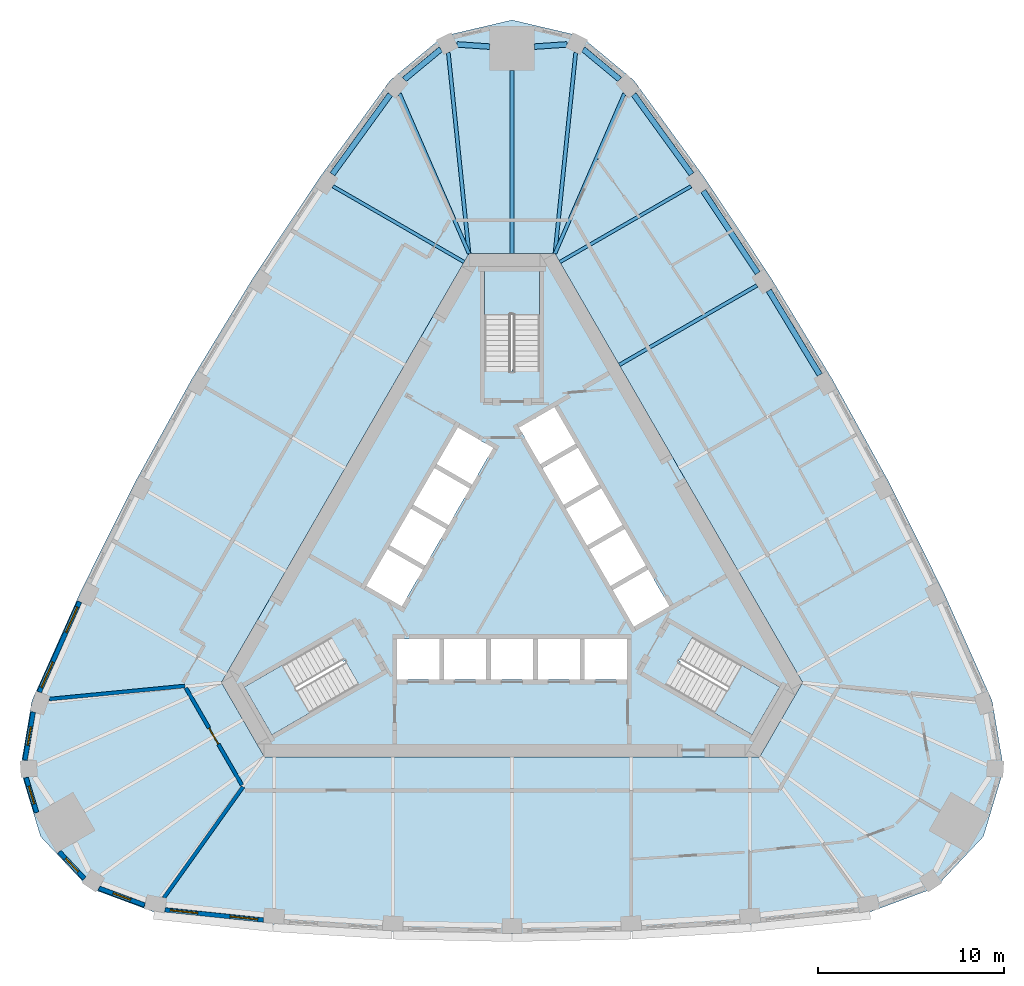
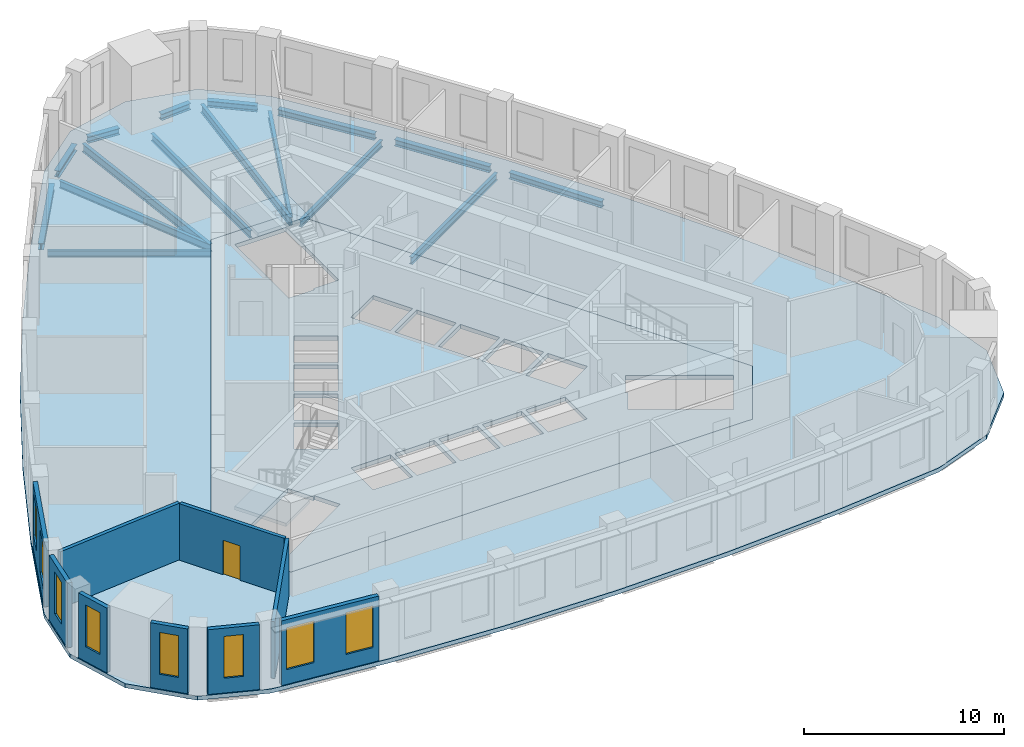
# One storey, part 2 of 10: 16 beams, 9 walls, 8 windows, 5 slabs, 1 door, 9 openings, 3 elements without a shape of their own.
"""IFC4 building model written with IfcOpenShell, lengths in metres."""

from ifc_helpers import new_model, si_unit, direction, frame, frame_2d, origin, origin_2d, place, context, subcontext, project, spatial, polyline, rectangle, i_section, outline, extrude, material, layer, layer_set, material_profile, profile_set, type_object, element, fill, aggregate, save


model = new_model("IFC4")

# Units and contexts
model_context = context("Model", 3, precision=1e-05, world=origin(), true_north=direction((0.0, 1.0)))
body_context = subcontext(model_context, "Body", "Model", "MODEL_VIEW")
ifc_project = project(units=[si_unit("LENGTHUNIT", "METRE"), si_unit("AREAUNIT", "SQUARE_METRE"), si_unit("VOLUMEUNIT", "CUBIC_METRE"), si_unit("PLANEANGLEUNIT", "RADIAN"), si_unit("MASSUNIT", "GRAM", prefix="KILO")], contexts=[model_context])

# Site, building, storey
site_placement = place(None, origin())
site = spatial("IfcSite", under=ifc_project, at=site_placement, CompositionType="ELEMENT")
building_placement = place(site_placement, origin())
building = spatial("IfcBuilding", under=site, at=building_placement, Name="Mestral Congress Tower", CompositionType="ELEMENT")
storey_placement = place(building_placement, frame((0.0, 0.0, 231.0)))
storey = spatial("IfcBuildingStorey", under=building, at=storey_placement, Name="L54", CompositionType="ELEMENT", Elevation=231.0)

# Beams
ifc_material_1 = material(Name="Steel S355", Category="steel")
ifc_material_profile_1 = material_profile(ifc_material_1, i_section(OverallWidth=0.179931640625, OverallDepth=0.39990234375, WebThickness=0.008544921875, FlangeThickness=0.013427734375, FilletRadius=0.02099609375, at=origin_2d()), Name="IPE 400")
ifc_profile_set_1 = profile_set([ifc_material_profile_1], Name="Steel S355")
beam_type_1 = type_object("IfcBeamType", Name="Floor beam IPE 400 S355", PredefinedType="BEAM", material=ifc_profile_set_1)
for number, where, z_axis, x_axis, name in (
    (1, (9.627197265625, 20.321533203125, -0.449951171875), (-0.86601443812, -0.500018992608, 0.0), (0.500018992608, -0.86601443812, 0.0), "BM-L54-RB4-E05"),
    (2, (-9.627197265625, 20.321533203125, -0.449951171875), (0.86601443812, -0.500018992608, 0.0), (0.500018992608, 0.86601443812, 0.0), "BM-L54-RB4-W01"),
):
    element("IfcBeam", number, at=place(storey_placement, frame(where, z_axis=z_axis, x_axis=x_axis)), inside=storey, type_object=beam_type_1, Name=name, PredefinedType="BEAM", context=body_context, shape_type="SweptSolid", body=[
        extrude(i_section(OverallWidth=0.179931640625, OverallDepth=0.39990234375, WebThickness=0.008544921875, FlangeThickness=0.013427734375, FilletRadius=0.02099609375, at=origin_2d()), origin(), (0.0, 0.0, 1.0), 8.148193359375),
    ])
ifc_material_profile_2 = material_profile(ifc_material_1, i_section(OverallWidth=0.18994140625, OverallDepth=0.449951171875, WebThickness=0.009521484375, FlangeThickness=0.0146484375, FilletRadius=0.02099609375, at=origin_2d()), Name="IPE 450")
ifc_profile_set_2 = profile_set([ifc_material_profile_2], Name="Steel S355")
beam_type_2 = type_object("IfcBeamType", Name="Floor beam IPE 450 S355", PredefinedType="BEAM", material=ifc_profile_set_2)
beam_1_placement = place(storey_placement, frame((13.16650390625, 14.98974609375, -0.47509765625), z_axis=(-0.866028621479, -0.499994426748, 0.0), x_axis=(0.499994426748, -0.866028621479, 0.0)))
element("IfcBeam", 3, at=beam_1_placement, inside=storey, type_object=beam_type_2, Name="BM-L54-RB4-E04", PredefinedType="BEAM", context=body_context, shape_type="SweptSolid", body=[
    extrude(i_section(OverallWidth=0.18994140625, OverallDepth=0.449951171875, WebThickness=0.009521484375, FlangeThickness=0.0146484375, FilletRadius=0.02099609375, at=origin_2d()), origin(), (0.0, 0.0, 1.0), 8.54736328125),
])
beam_2_placement = place(storey_placement, frame((6.0419921875, 25.296875, -0.47509765625), z_axis=(-0.398265997009, -0.91726996878, 0.0), x_axis=(0.91726996878, -0.398265997009, 0.0)))
element("IfcBeam", 4, at=beam_2_placement, inside=storey, type_object=beam_type_2, Name="BM-L54-RB4-E06", PredefinedType="BEAM", context=body_context, shape_type="SweptSolid", body=[
    extrude(i_section(OverallWidth=0.18994140625, OverallDepth=0.449951171875, WebThickness=0.009521484375, FlangeThickness=0.0146484375, FilletRadius=0.02099609375, at=origin_2d()), origin(), (0.0, 0.0, 1.0), 9.372314453125),
])
beam_3_placement = place(storey_placement, frame((0.0, 26.54443359375, -0.47509765625), z_axis=(0.0, -1.0, 0.0), x_axis=(1.0, 0.0, 0.0)))
element("IfcBeam", 5, at=beam_3_placement, inside=storey, type_object=beam_type_2, Name="BM-L54-RB4-N", PredefinedType="BEAM", context=body_context, shape_type="SweptSolid", body=[
    extrude(i_section(OverallWidth=0.18994140625, OverallDepth=0.449951171875, WebThickness=0.009521484375, FlangeThickness=0.0146484375, FilletRadius=0.02099609375, at=origin_2d()), origin(), (0.0, 0.0, 1.0), 9.844482421875),
])
beam_4_placement = place(storey_placement, frame((-6.0419921875, 25.296875, -0.47509765625), z_axis=(0.398265997009, -0.91726996878, 0.0), x_axis=(0.91726996878, 0.398265997009, 0.0)))
element("IfcBeam", 6, at=beam_4_placement, inside=storey, type_object=beam_type_2, Name="BM-L54-RB4-W00", PredefinedType="BEAM", context=body_context, shape_type="SweptSolid", body=[
    extrude(i_section(OverallWidth=0.18994140625, OverallDepth=0.449951171875, WebThickness=0.009521484375, FlangeThickness=0.0146484375, FilletRadius=0.02099609375, at=origin_2d()), origin(), (0.0, 0.0, 1.0), 9.372314453125),
])
ifc_material_profile_3 = material_profile(ifc_material_1, i_section(OverallWidth=0.199951171875, OverallDepth=0.5, WebThickness=0.01025390625, FlangeThickness=0.01611328125, FilletRadius=0.02099609375, at=origin_2d()), Name="IPE 500")
ifc_profile_set_3 = profile_set([ifc_material_profile_3], Name="Steel S355")
beam_type_3 = type_object("IfcBeamType", Name="Floor beam IPE 500 S355", PredefinedType="BEAM", material=ifc_profile_set_3)
for number, where, z_axis, x_axis, name in (
    (7, (3.4228515625, 27.5009765625, -0.5), (-0.102550876252, -0.994727760636, 0.0), (0.994727760636, -0.102550876252, 0.0), "BM-L54-RB4-N1"),
    (8, (-3.4228515625, 27.5009765625, -0.5), (0.102550876252, -0.994727760636, 0.0), (0.994727760636, 0.102550876252, 0.0), "BM-L54-RB4-N3"),
):
    element("IfcBeam", number, at=place(storey_placement, frame(where, z_axis=z_axis, x_axis=x_axis)), inside=storey, type_object=beam_type_3, Name=name, PredefinedType="BEAM", context=body_context, shape_type="SweptSolid", body=[
        extrude(i_section(OverallWidth=0.199951171875, OverallDepth=0.5, WebThickness=0.01025390625, FlangeThickness=0.01611328125, FilletRadius=0.02099609375, at=origin_2d()), origin(), (0.0, 0.0, 1.0), 10.858154296875),
    ])
ifc_material_profile_4 = material_profile(ifc_material_1, i_section(OverallWidth=0.300048828125, OverallDepth=0.389892578125, WebThickness=0.010986328125, FlangeThickness=0.01904296875, FilletRadius=0.027099609375, at=origin_2d()), Name="HEA 400")
ifc_profile_set_4 = profile_set([ifc_material_profile_4], Name="Steel S355")
beam_type_4 = type_object("IfcBeamType", Name="Spandrel beam HEA 400 S355", PredefinedType="BEAM", material=ifc_profile_set_4)
for number, where, z_axis, x_axis, name in (
    (9, (16.54248046875, 10.185791015625, -0.445068359375), (-0.517865676042, 0.855461946306, 0.0), (-0.855461946306, -0.517865676042, 0.0), "SP-L54-SB4-E03"),
    (10, (13.209228515625, 15.648193359375, -0.445068359375), (-0.552934106774, 0.833224983762, 0.0), (-0.833224983762, -0.552934106774, 0.0), "SP-L54-SB4-E04"),
):
    element("IfcBeam", number, at=place(storey_placement, frame(where, z_axis=z_axis, x_axis=x_axis)), inside=storey, type_object=beam_type_4, Name=name, PredefinedType="BEAM", context=body_context, shape_type="SweptSolid", body=[
        extrude(i_section(OverallWidth=0.300048828125, OverallDepth=0.389892578125, WebThickness=0.010986328125, FlangeThickness=0.01904296875, FilletRadius=0.027099609375, at=origin_2d()), origin(), (0.0, 0.0, 1.0), 5.29931640625),
    ])
beam_5_placement = place(storey_placement, frame((9.652099609375, 20.967529296875, -0.445068359375), z_axis=(-0.587017415163, 0.809574304369, 0.0), x_axis=(-0.809574304369, -0.587017415163, 0.0)))
element("IfcBeam", 11, at=beam_5_placement, inside=storey, type_object=beam_type_4, Name="SP-L54-SB4-E05", PredefinedType="BEAM", context=body_context, shape_type="SweptSolid", body=[
    extrude(i_section(OverallWidth=0.300048828125, OverallDepth=0.389892578125, WebThickness=0.010986328125, FlangeThickness=0.01904296875, FilletRadius=0.027099609375, at=origin_2d()), origin(), (0.0, 0.0, 1.0), 5.29736328125),
])
beam_6_placement = place(storey_placement, frame((5.789306640625, 26.058837890625, -0.445068359375), z_axis=(-0.769970431757, 0.638079567311, 0.0), x_axis=(-0.638079567311, -0.769970431757, 0.0)))
element("IfcBeam", 12, at=beam_6_placement, inside=storey, type_object=beam_type_4, Name="SP-L54-SB4-E06", PredefinedType="BEAM", context=body_context, shape_type="SweptSolid", body=[
    extrude(i_section(OverallWidth=0.300048828125, OverallDepth=0.389892578125, WebThickness=0.010986328125, FlangeThickness=0.01904296875, FilletRadius=0.027099609375, at=origin_2d()), origin(), (0.0, 0.0, 1.0), 2.547119140625),
])
for number, where, z_axis, x_axis, name in (
    (13, (2.9521484375, 27.94384765625, -0.445068359375), (-0.997724466462, -0.067423208337, 0.0), (0.067423208337, -0.997724466462, 0.0), "SP-L54-SB4-N1"),
    (14, (-1.199951171875, 27.825439453125, -0.445068359375), (-0.997724466462, 0.067423208337, 0.0), (-0.067423208337, -0.997724466462, 0.0), "SP-L54-SB4-N"),
):
    element("IfcBeam", number, at=place(storey_placement, frame(where, z_axis=z_axis, x_axis=x_axis)), inside=storey, type_object=beam_type_4, Name=name, PredefinedType="BEAM", context=body_context, shape_type="SweptSolid", body=[
        extrude(i_section(OverallWidth=0.300048828125, OverallDepth=0.389892578125, WebThickness=0.010986328125, FlangeThickness=0.01904296875, FilletRadius=0.027099609375, at=origin_2d()), origin(), (0.0, 0.0, 1.0), 1.756103515625),
    ])
beam_7_placement = place(storey_placement, frame((-3.828125, 27.68408203125, -0.445068359375), z_axis=(-0.769970431757, -0.638079567311, 0.0), x_axis=(0.638079567311, -0.769970431757, 0.0)))
element("IfcBeam", 15, at=beam_7_placement, inside=storey, type_object=beam_type_4, Name="SP-L54-SB4-N3", PredefinedType="BEAM", context=body_context, shape_type="SweptSolid", body=[
    extrude(i_section(OverallWidth=0.300048828125, OverallDepth=0.389892578125, WebThickness=0.010986328125, FlangeThickness=0.01904296875, FilletRadius=0.027099609375, at=origin_2d()), origin(), (0.0, 0.0, 1.0), 2.547119140625),
])
beam_8_placement = place(storey_placement, frame((-6.54248046875, 25.256103515625, -0.445068359375), z_axis=(-0.587017415163, -0.809574304369, 0.0), x_axis=(0.809574304369, -0.587017415163, 0.0)))
element("IfcBeam", 16, at=beam_8_placement, inside=storey, type_object=beam_type_4, Name="SP-L54-SB4-W00", PredefinedType="BEAM", context=body_context, shape_type="SweptSolid", body=[
    extrude(i_section(OverallWidth=0.300048828125, OverallDepth=0.389892578125, WebThickness=0.010986328125, FlangeThickness=0.01904296875, FilletRadius=0.027099609375, at=origin_2d()), origin(), (0.0, 0.0, 1.0), 5.29736328125),
])

# Slabs
ifc_material_2 = material(Name="Concrete C35/45", Category="concrete")
ifc_layer_1 = layer(ifc_material_2, 0.25)
ifc_layer_set_1 = layer_set([ifc_layer_1], Name="Concrete C35/45")
slab_type_1 = type_object("IfcSlabType", Name="Composite floor slab 250", PredefinedType="FLOOR", material=ifc_layer_set_1)
placement_1 = place(storey_placement, frame((0.0, 0.0, -0.25)))
element("IfcSlab", 17, at=placement_1, inside=storey, type_object=slab_type_1, Name="SL-L54", PredefinedType="FLOOR", context=body_context, shape_type="SweptSolid", body=[
    extrude(outline(polyline([(-19.253662109375, -18.678466796875), (-22.75, -17.381591796875), (-25.3369140625, -14.62841796875), (-26.427978515625, -11.01123046875), (-25.802978515625, -7.334716796875), (-23.16748046875, -1.4306640625), (-20.310302734375, 4.316650390625), (-17.21728515625, 9.9404296875), (-13.8935546875, 15.430908203125), (-10.3447265625, 20.77880859375), (-6.54931640625, 26.013427734375), (-3.677978515625, 28.392822265625), (0.0, 29.256591796875), (3.677978515625, 28.392822265625), (6.54931640625, 26.013427734375), (10.3447265625, 20.77880859375), (13.8935546875, 15.430908203125), (17.21728515625, 9.9404296875), (20.310302734375, 4.316650390625), (23.16748046875, -1.4306640625), (25.802978515625, -7.334716796875), (26.427978515625, -11.01123046875), (25.3369140625, -14.62841796875), (22.75, -17.381591796875), (19.253662109375, -18.678466796875), (12.822509765625, -19.34814453125), (6.416748046875, -19.74755859375), (0.0, -19.880615234375), (-6.416748046875, -19.74755859375), (-12.822509765625, -19.34814453125), (-19.253662109375, -18.678466796875)]), holes=[polyline([(-2.309326171875, 16.699951171875), (-15.6171875, -6.35009765625), (-13.307861328125, -10.35009765625), (13.307861328125, -10.35009765625), (15.6171875, -6.35009765625), (2.309326171875, 16.699951171875), (-2.309326171875, 16.699951171875)])]), origin(), (0.0, 0.0, 1.0), 0.25),
])
ifc_material_3 = material(Name="Concrete C60/75", Category="concrete")
ifc_layer_2 = layer(ifc_material_3, 0.25)
ifc_layer_set_2 = layer_set([ifc_layer_2], Name="Concrete C60/75")
slab_type_2 = type_object("IfcSlabType", Name="Core floor slab RC 250", PredefinedType="FLOOR", material=ifc_layer_set_2)
element("IfcSlab", 18, at=placement_1, inside=storey, type_object=slab_type_2, Name="L54 core floor", PredefinedType="FLOOR", context=body_context, shape_type="SweptSolid", body=[
    extrude(outline(polyline([(13.307861328125, -10.35009765625), (-13.307861328125, -10.35009765625), (-15.6171875, -6.35009765625), (-2.309326171875, 16.699951171875), (2.309326171875, 16.699951171875), (15.6171875, -6.35009765625), (13.307861328125, -10.35009765625)]), holes=[polyline([(-9.8046875, -3.95751953125), (-14.37744140625, -6.59765625), (-12.90234375, -9.15234375), (-8.234619140625, -6.45751953125), (-8.971923828125, -5.179931640625), (-9.0673828125, -5.235107421875), (-9.8046875, -3.95751953125)]), polyline([(-3.905029296875, -4.0), (-6.175048828125, -4.0), (-6.175048828125, -6.199951171875), (-3.905029296875, -6.199951171875), (-3.905029296875, -4.0)]), polyline([(-1.385009765625, -4.0), (-3.655029296875, -4.0), (-3.655029296875, -6.199951171875), (-1.385009765625, -6.199951171875), (-1.385009765625, -4.0)]), polyline([(1.135009765625, -4.0), (-1.135009765625, -4.0), (-1.135009765625, -6.199951171875), (1.135009765625, -6.199951171875), (1.135009765625, -4.0)]), polyline([(-5.921630859375, -2.256591796875), (-4.78662109375, -0.29052734375), (-6.69189453125, 0.809326171875), (-7.826904296875, -1.156494140625), (-5.921630859375, -2.256591796875)]), polyline([(-4.66162109375, -0.07421875), (-3.526611328125, 1.8916015625), (-5.431884765625, 2.99169921875), (-6.56689453125, 1.02587890625), (-4.66162109375, -0.07421875)]), polyline([(-3.401611328125, 2.1083984375), (-2.2666015625, 4.07421875), (-4.171875, 5.174072265625), (-5.306884765625, 3.208251953125), (-3.401611328125, 2.1083984375)]), polyline([(-2.1416015625, 4.29052734375), (-1.006591796875, 6.256591796875), (-2.911865234375, 7.3564453125), (-4.046875, 5.390625), (-2.1416015625, 4.29052734375)]), polyline([(1.47509765625, 10.469970703125), (1.47509765625, 15.75), (-1.47509765625, 15.75), (-1.47509765625, 10.360107421875), (0.0, 10.360107421875), (0.0, 10.469970703125), (1.47509765625, 10.469970703125)]), polyline([(8.329833984375, -6.512451171875), (12.90234375, -9.15234375), (14.37744140625, -6.59765625), (9.70947265625, -3.902587890625), (8.971923828125, -5.179931640625), (9.0673828125, -5.235107421875), (8.329833984375, -6.512451171875)]), polyline([(3.655029296875, -4.0), (1.385009765625, -4.0), (1.385009765625, -6.199951171875), (3.655029296875, -6.199951171875), (3.655029296875, -4.0)]), polyline([(6.175048828125, -4.0), (3.905029296875, -4.0), (3.905029296875, -6.199951171875), (6.175048828125, -6.199951171875), (6.175048828125, -4.0)]), polyline([(5.41650390625, -1.3818359375), (6.551513671875, -3.34765625), (8.456787109375, -2.247802734375), (7.322021484375, -0.28173828125), (5.41650390625, -1.3818359375)]), polyline([(4.156494140625, 0.800537109375), (5.29150390625, -1.165283203125), (7.197021484375, -0.065185546875), (6.06201171875, 1.900634765625), (4.156494140625, 0.800537109375)]), polyline([(2.896484375, 2.98291015625), (4.031494140625, 1.01708984375), (5.93701171875, 2.1171875), (4.802001953125, 4.0830078125), (2.896484375, 2.98291015625)]), polyline([(3.5419921875, 6.265380859375), (1.63671875, 5.165283203125), (2.771484375, 3.199462890625), (4.677001953125, 4.29931640625), (3.5419921875, 6.265380859375)]), polyline([(2.281982421875, 8.44775390625), (0.376708984375, 7.34765625), (1.51171875, 5.3818359375), (3.4169921875, 6.481689453125), (2.281982421875, 8.44775390625)])]), origin(), (0.0, 0.0, 1.0), 0.25),
])

# Stair, slab
stair_type = type_object("IfcStairType", Name="Exit stair 1400", PredefinedType="HALF_TURN_STAIR", material=ifc_material_3)
placement_2 = place(storey_placement, origin())
stair_1 = element("IfcStair", 19, at=placement_2, inside=storey, type_object=stair_type, Name="L54 ST1", PredefinedType="HALF_TURN_STAIR")
ifc_layer_3 = layer(ifc_material_3, 0.199951171875)
ifc_layer_set_3 = layer_set([ifc_layer_3], Name="Concrete C60/75")
slab_type_3 = type_object("IfcSlabType", Name="Exit stair landing 200", PredefinedType="LANDING", material=ifc_layer_set_3)
placement_3 = place(storey_placement, frame((0.0, 0.0, 1.89990234375)))
slab_3 = element("IfcSlab", 20, at=placement_3, type_object=slab_type_3, Name="ST1 landing 1", PredefinedType="LANDING", context=body_context, shape_type="SweptSolid", body=[
    extrude(outline(polyline([(10.879638671875, -7.99609375), (12.364501953125, -5.424072265625), (14.39111328125, -6.593994140625), (12.906005859375, -9.166015625), (10.879638671875, -7.99609375)])), origin(), (0.0, 0.0, 1.0), 0.2001953125),
])
aggregate(stair_1, [slab_3])

stair_2 = element("IfcStair", 21, at=placement_2, inside=storey, type_object=stair_type, Name="L54 ST2", PredefinedType="HALF_TURN_STAIR")
slab_4 = element("IfcSlab", 22, at=placement_3, type_object=slab_type_3, Name="ST2 landing 1", PredefinedType="LANDING", context=body_context, shape_type="SweptSolid", body=[
    extrude(outline(polyline([(1.485107421875, 13.419921875), (-1.485107421875, 13.419921875), (-1.485107421875, 15.760009765625), (1.485107421875, 15.760009765625), (1.485107421875, 13.419921875)])), origin(), (0.0, 0.0, 1.0), 0.2001953125),
])
aggregate(stair_2, [slab_4])

stair_3 = element("IfcStair", 23, at=placement_2, inside=storey, type_object=stair_type, Name="L54 ST3", PredefinedType="HALF_TURN_STAIR")
slab_5 = element("IfcSlab", 24, at=placement_3, type_object=slab_type_3, Name="ST3 landing 1", PredefinedType="LANDING", context=body_context, shape_type="SweptSolid", body=[
    extrude(outline(polyline([(-12.364501953125, -5.424072265625), (-10.879638671875, -7.99609375), (-12.906005859375, -9.166015625), (-14.39111328125, -6.593994140625), (-12.364501953125, -5.424072265625)])), origin(), (0.0, 0.0, 1.0), 0.2001953125),
])
aggregate(stair_3, [slab_5])

# Wall, openings, windows
ifc_material_4 = material(Name="Precast concrete C40/50 with limestone facing", Category="masonry")
ifc_layer_4 = layer(ifc_material_4, 0.239990234375)
ifc_layer_set_4 = layer_set([ifc_layer_4], Name="Precast concrete C40/50 with limestone facing")
wall_type_1 = type_object("IfcWallType", Name="Facade stone wall 240", PredefinedType="SOLIDWALL", material=ifc_layer_set_4)
wall_1_placement = place(storey_placement, frame((-18.644287109375, -18.571044921875, 0.0), z_axis=(0.0, 0.0, 1.0), x_axis=(0.994621961215, -0.103571976272, 0.0)))
wall_1 = element("IfcWall", 25, at=wall_1_placement, inside=storey, type_object=wall_type_1, Name="Facade wall F0-00", PredefinedType="SOLIDWALL", context=body_context, shape_type="SweptSolid", body=[
    extrude(rectangle(XDim=5.310791015625, YDim=0.239990234375, at=frame_2d((2.6552734375, 0.0))), origin(), (0.0, 0.0, 1.0), 3.949951171875),
])
opening_1_placement = place(wall_1_placement, frame((0.271484375, 0.0, 0.89990234375)))
opening_1 = element("IfcOpeningElement", 26, at=opening_1_placement, cuts=wall_1, Name="Opening W4", PredefinedType="OPENING", context=body_context, shape_type="SweptSolid", body=[
    extrude(rectangle(XDim=1.5, YDim=2.550048828125, at=frame_2d((0.75, 1.27490234375))), frame((0.0, 0.1298828125, 0.0), z_axis=(0.0, -1.0, 0.0), x_axis=(1.0, 0.0, 0.0)), (0.0, 0.0, 1.0), 0.260009765625),
])
opening_2_placement = place(wall_1_placement, frame((3.50439453125, 0.0, 0.89990234375)))
opening_2 = element("IfcOpeningElement", 27, at=opening_2_placement, cuts=wall_1, Name="Opening W4", PredefinedType="OPENING", context=body_context, shape_type="SweptSolid", body=[
    extrude(rectangle(XDim=1.5, YDim=2.550048828125, at=frame_2d((0.75, 1.27490234375))), frame((0.0, 0.1298828125, 0.0), z_axis=(0.0, -1.0, 0.0), x_axis=(1.0, 0.0, 0.0)), (0.0, 0.0, 1.0), 0.260009765625),
])
ifc_material_5 = material(Name="Clear low-emissivity double glazing", Category="glass")
window_type_1 = type_object("IfcWindowType", Name="Facade punched window 1500 x 2550 sill 900", PartitioningType="SINGLE_PANEL", PredefinedType="WINDOW", material=ifc_material_5)
window_1_placement = place(opening_1_placement, origin())
window_1 = element("IfcWindow", 28, at=window_1_placement, inside=storey, type_object=window_type_1, Name="Window F0-00a", OverallHeight=2.550048828125, OverallWidth=1.5, PartitioningType="SINGLE_PANEL", PredefinedType="WINDOW", context=body_context, shape_type="SweptSolid", body=[
    extrude(rectangle(XDim=1.5, YDim=2.550048828125, at=frame_2d((0.75, 1.27490234375))), frame((0.0, 0.0400390625, 0.0), z_axis=(0.0, -1.0, 0.0), x_axis=(1.0, 0.0, 0.0)), (0.0, 0.0, 1.0), 0.06005859375),
])
fill(opening_1, window_1)
window_2_placement = place(opening_2_placement, origin())
window_2 = element("IfcWindow", 29, at=window_2_placement, inside=storey, type_object=window_type_1, Name="Window F0-00b", OverallHeight=2.550048828125, OverallWidth=1.5, PartitioningType="SINGLE_PANEL", PredefinedType="WINDOW", context=body_context, shape_type="SweptSolid", body=[
    extrude(rectangle(XDim=1.5, YDim=2.550048828125, at=frame_2d((0.75, 1.27490234375))), frame((0.0, 0.0400390625, 0.0), z_axis=(0.0, -1.0, 0.0), x_axis=(1.0, 0.0, 0.0)), (0.0, 0.0, 1.0), 0.06005859375),
])
fill(opening_2, window_2)

wall_2_placement = place(storey_placement, frame((-23.240478515625, -2.01123046875, 0.0), z_axis=(0.0, 0.0, 1.0), x_axis=(-0.407579651789, -0.913169659728, 0.0)))
wall_2 = element("IfcWall", 30, at=wall_2_placement, inside=storey, type_object=wall_type_1, Name="Facade wall F2-05", PredefinedType="SOLIDWALL", context=body_context, shape_type="SweptSolid", body=[
    extrude(rectangle(XDim=5.310791015625, YDim=0.239990234375, at=frame_2d((2.6552734375, 0.0))), origin(), (0.0, 0.0, 1.0), 3.949951171875),
])
opening_3_placement = place(wall_2_placement, frame((0.306396484375, 0.0, 0.89990234375)))
opening_3 = element("IfcOpeningElement", 31, at=opening_3_placement, cuts=wall_2, Name="Opening W4", PredefinedType="OPENING", context=body_context, shape_type="SweptSolid", body=[
    extrude(rectangle(XDim=1.5, YDim=2.550048828125, at=frame_2d((0.75, 1.27490234375))), frame((0.0, 0.1298828125, 0.0), z_axis=(0.0, -1.0, 0.0), x_axis=(1.0, 0.0, 0.0)), (0.0, 0.0, 1.0), 0.260009765625),
])
opening_4_placement = place(wall_2_placement, frame((3.539306640625, 0.0, 0.89990234375)))
opening_4 = element("IfcOpeningElement", 32, at=opening_4_placement, cuts=wall_2, Name="Opening W4", PredefinedType="OPENING", context=body_context, shape_type="SweptSolid", body=[
    extrude(rectangle(XDim=1.5, YDim=2.550048828125, at=frame_2d((0.75, 1.27490234375))), frame((0.0, 0.1298828125, 0.0), z_axis=(0.0, -1.0, 0.0), x_axis=(1.0, 0.0, 0.0)), (0.0, 0.0, 1.0), 0.260009765625),
])
window_3_placement = place(opening_3_placement, origin())
window_3 = element("IfcWindow", 33, at=window_3_placement, inside=storey, type_object=window_type_1, Name="Window F2-05a", OverallHeight=2.550048828125, OverallWidth=1.5, PartitioningType="SINGLE_PANEL", PredefinedType="WINDOW", context=body_context, shape_type="SweptSolid", body=[
    extrude(rectangle(XDim=1.5, YDim=2.550048828125, at=frame_2d((0.75, 1.27490234375))), frame((0.0, 0.0400390625, 0.0), z_axis=(0.0, -1.0, 0.0), x_axis=(1.0, 0.0, 0.0)), (0.0, 0.0, 1.0), 0.06005859375),
])
fill(opening_3, window_3)
window_4_placement = place(opening_4_placement, origin())
window_4 = element("IfcWindow", 34, at=window_4_placement, inside=storey, type_object=window_type_1, Name="Window F2-05b", OverallHeight=2.550048828125, OverallWidth=1.5, PartitioningType="SINGLE_PANEL", PredefinedType="WINDOW", context=body_context, shape_type="SweptSolid", body=[
    extrude(rectangle(XDim=1.5, YDim=2.550048828125, at=frame_2d((0.75, 1.27490234375))), frame((0.0, 0.0400390625, 0.0), z_axis=(0.0, -1.0, 0.0), x_axis=(1.0, 0.0, 0.0)), (0.0, 0.0, 1.0), 0.06005859375),
])
fill(opening_4, window_4)

# Wall, opening, window
wall_3_placement = place(storey_placement, frame((-25.734130859375, -7.94482421875, 0.0), z_axis=(0.0, 0.0, 1.0), x_axis=(-0.167660055546, -0.985844869021, 0.0)))
wall_3 = element("IfcWall", 35, at=wall_3_placement, inside=storey, type_object=wall_type_1, Name="Facade wall K2-0", PredefinedType="SOLIDWALL", context=body_context, shape_type="SweptSolid", body=[
    extrude(rectangle(XDim=2.609375, YDim=0.239990234375, at=frame_2d((1.3046875, 0.0))), origin(), (0.0, 0.0, 1.0), 3.949951171875),
])
opening_5_placement = place(wall_3_placement, frame((0.8046875, 0.0, 0.89990234375)))
opening_5 = element("IfcOpeningElement", 36, at=opening_5_placement, cuts=wall_3, Name="Opening W5", PredefinedType="OPENING", context=body_context, shape_type="SweptSolid", body=[
    extrude(rectangle(XDim=1.0, YDim=2.550048828125, at=frame_2d((0.5, 1.27490234375))), frame((0.0, 0.1298828125, 0.0), z_axis=(0.0, -1.0, 0.0), x_axis=(1.0, 0.0, 0.0)), (0.0, 0.0, 1.0), 0.260009765625),
])
window_type_2 = type_object("IfcWindowType", Name="Facade punched window 1000 x 2550 sill 900", PartitioningType="SINGLE_PANEL", PredefinedType="WINDOW", material=ifc_material_5)
window_5_placement = place(opening_5_placement, origin())
window_5 = element("IfcWindow", 37, at=window_5_placement, inside=storey, type_object=window_type_2, Name="Window K2-0", OverallHeight=2.550048828125, OverallWidth=1.0, PartitioningType="SINGLE_PANEL", PredefinedType="WINDOW", context=body_context, shape_type="SweptSolid", body=[
    extrude(rectangle(XDim=1.0, YDim=2.550048828125, at=frame_2d((0.5, 1.27490234375))), frame((0.0, 0.0400390625, 0.0), z_axis=(0.0, -1.0, 0.0), x_axis=(1.0, 0.0, 0.0)), (0.0, 0.0, 1.0), 0.06005859375),
])
fill(opening_5, window_5)

wall_4_placement = place(storey_placement, frame((-26.1123046875, -11.469482421875, 0.0), z_axis=(0.0, 0.0, 1.0), x_axis=(0.288727209095, -0.957411405159, 0.0)))
wall_4 = element("IfcWall", 38, at=wall_4_placement, inside=storey, type_object=wall_type_1, Name="Facade wall K2-1", PredefinedType="SOLIDWALL", context=body_context, shape_type="SweptSolid", body=[
    extrude(rectangle(XDim=1.9482421875, YDim=0.239990234375, at=frame_2d((0.97412109375, 0.0))), origin(), (0.0, 0.0, 1.0), 3.949951171875),
])
opening_6_placement = place(wall_4_placement, frame((0.47412109375, 0.0, 0.89990234375)))
opening_6 = element("IfcOpeningElement", 39, at=opening_6_placement, cuts=wall_4, Name="Opening W5", PredefinedType="OPENING", context=body_context, shape_type="SweptSolid", body=[
    extrude(rectangle(XDim=1.0, YDim=2.550048828125, at=frame_2d((0.5, 1.27490234375))), frame((0.0, 0.1298828125, 0.0), z_axis=(0.0, -1.0, 0.0), x_axis=(1.0, 0.0, 0.0)), (0.0, 0.0, 1.0), 0.260009765625),
])
window_6_placement = place(opening_6_placement, origin())
window_6 = element("IfcWindow", 40, at=window_6_placement, inside=storey, type_object=window_type_2, Name="Window K2-1", OverallHeight=2.550048828125, OverallWidth=1.0, PartitioningType="SINGLE_PANEL", PredefinedType="WINDOW", context=body_context, shape_type="SweptSolid", body=[
    extrude(rectangle(XDim=1.0, YDim=2.550048828125, at=frame_2d((0.5, 1.27490234375))), frame((0.0, 0.0400390625, 0.0), z_axis=(0.0, -1.0, 0.0), x_axis=(1.0, 0.0, 0.0)), (0.0, 0.0, 1.0), 0.06005859375),
])
fill(opening_6, window_6)

wall_5_placement = place(storey_placement, frame((-24.322998046875, -15.459228515625, 0.0), z_axis=(0.0, 0.0, 1.0), x_axis=(0.684770274166, -0.728758994194, 0.0)))
wall_5 = element("IfcWall", 41, at=wall_5_placement, inside=storey, type_object=wall_type_1, Name="Facade wall K2-2", PredefinedType="SOLIDWALL", context=body_context, shape_type="SweptSolid", body=[
    extrude(rectangle(XDim=1.947998046875, YDim=0.239990234375, at=frame_2d((0.97412109375, 0.0))), origin(), (0.0, 0.0, 1.0), 3.949951171875),
])
opening_7_placement = place(wall_5_placement, frame((0.47412109375, 0.0, 0.89990234375)))
opening_7 = element("IfcOpeningElement", 42, at=opening_7_placement, cuts=wall_5, Name="Opening W5", PredefinedType="OPENING", context=body_context, shape_type="SweptSolid", body=[
    extrude(rectangle(XDim=1.0, YDim=2.550048828125, at=frame_2d((0.5, 1.27490234375))), frame((0.0, 0.1298828125, 0.0), z_axis=(0.0, -1.0, 0.0), x_axis=(1.0, 0.0, 0.0)), (0.0, 0.0, 1.0), 0.260009765625),
])
window_7_placement = place(opening_7_placement, origin())
window_7 = element("IfcWindow", 43, at=window_7_placement, inside=storey, type_object=window_type_2, Name="Window K2-2", OverallHeight=2.550048828125, OverallWidth=1.0, PartitioningType="SINGLE_PANEL", PredefinedType="WINDOW", context=body_context, shape_type="SweptSolid", body=[
    extrude(rectangle(XDim=1.0, YDim=2.550048828125, at=frame_2d((0.5, 1.27490234375))), frame((0.0, 0.0400390625, 0.0), z_axis=(0.0, -1.0, 0.0), x_axis=(1.0, 0.0, 0.0)), (0.0, 0.0, 1.0), 0.06005859375),
])
fill(opening_7, window_7)

wall_6_placement = place(storey_placement, frame((-22.194091796875, -17.406494140625, 0.0), z_axis=(0.0, 0.0, 1.0), x_axis=(0.937569171184, -0.347798863203, 0.0)))
wall_6 = element("IfcWall", 44, at=wall_6_placement, inside=storey, type_object=wall_type_1, Name="Facade wall K2-3", PredefinedType="SOLIDWALL", context=body_context, shape_type="SweptSolid", body=[
    extrude(rectangle(XDim=2.609130859375, YDim=0.239990234375, at=frame_2d((1.3046875, 0.0))), origin(), (0.0, 0.0, 1.0), 3.949951171875),
])
opening_8_placement = place(wall_6_placement, frame((0.8046875, 0.0, 0.89990234375)))
opening_8 = element("IfcOpeningElement", 45, at=opening_8_placement, cuts=wall_6, Name="Opening W5", PredefinedType="OPENING", context=body_context, shape_type="SweptSolid", body=[
    extrude(rectangle(XDim=1.0, YDim=2.550048828125, at=frame_2d((0.5, 1.27490234375))), frame((0.0, 0.1298828125, 0.0), z_axis=(0.0, -1.0, 0.0), x_axis=(1.0, 0.0, 0.0)), (0.0, 0.0, 1.0), 0.260009765625),
])
window_8_placement = place(opening_8_placement, origin())
window_8 = element("IfcWindow", 46, at=window_8_placement, inside=storey, type_object=window_type_2, Name="Window K2-3", OverallHeight=2.550048828125, OverallWidth=1.0, PartitioningType="SINGLE_PANEL", PredefinedType="WINDOW", context=body_context, shape_type="SweptSolid", body=[
    extrude(rectangle(XDim=1.0, YDim=2.550048828125, at=frame_2d((0.5, 1.27490234375))), frame((0.0, 0.0400390625, 0.0), z_axis=(0.0, -1.0, 0.0), x_axis=(1.0, 0.0, 0.0)), (0.0, 0.0, 1.0), 0.06005859375),
])
fill(opening_8, window_8)

# Walls
ifc_material_6 = material(Name="Dense masonry wall, plastered", Category="masonry")
ifc_layer_5 = layer(ifc_material_6, 0.199951171875)
ifc_layer_set_5 = layer_set([ifc_layer_5], Name="Dense masonry wall, plastered")
wall_type_2 = type_object("IfcWallType", Name="Office tenancy wall 200", PredefinedType="PARTITIONING", material=ifc_layer_set_5)
for number, where, z_axis, x_axis, name in (
    (47, (-17.5859375, -6.540283203125, 0.0), (0.0, 0.0, 1.0), (-0.995357542522, -0.096246363795, 0.0), "Tenancy wall"),
    (48, (-14.45703125, -11.959716796875, 0.0), (0.0, 0.0, 1.0), (-0.581023578026, -0.813886725397, 0.0), "Tenancy wall"),
):
    element("IfcWall", number, at=place(storey_placement, frame(where, z_axis=z_axis, x_axis=x_axis)), inside=storey, type_object=wall_type_2, Name=name, PredefinedType="PARTITIONING", context=body_context, shape_type="SweptSolid", body=[
        extrude(rectangle(XDim=7.318115234375, YDim=0.199951171875, at=frame_2d((3.6591796875, 0.0))), origin(), (0.0, 0.0, 1.0), 3.449951171875),
    ])

# Wall, opening, door
wall_7_placement = place(storey_placement, frame((-17.531005859375, -6.635498046875, 0.0), z_axis=(0.0, 0.0, 1.0), x_axis=(0.500009459589, -0.866019942219, 0.0)))
wall_7 = element("IfcWall", 49, at=wall_7_placement, inside=storey, type_object=wall_type_2, Name="Tenancy wall", PredefinedType="PARTITIONING", context=body_context, shape_type="SweptSolid", body=[
    extrude(rectangle(XDim=6.0380859375, YDim=0.199951171875, at=frame_2d((3.01904296875, 0.0))), origin(), (0.0, 0.0, 1.0), 3.449951171875),
])
opening_9_placement = place(wall_7_placement, frame((2.5, 0.0, 0.0)))
opening_9 = element("IfcOpeningElement", 50, at=opening_9_placement, cuts=wall_7, Name="Opening O08-005", PredefinedType="OPENING", context=body_context, shape_type="SweptSolid", body=[
    extrude(rectangle(XDim=1.0, YDim=2.10009765625, at=frame_2d((0.5, 1.050048828125))), frame((0.0, 0.10986328125, 0.0), z_axis=(0.0, -1.0, 0.0), x_axis=(1.0, 0.0, 0.0)), (0.0, 0.0, 1.0), 0.219970703125),
])
ifc_material_7 = material(Name="Fire-rated timber door set", Category="wood")
door_type = type_object("IfcDoorType", Name="Office tenancy entrance door 1000x2100", OperationType="SINGLE_SWING_LEFT", PredefinedType="DOOR", material=ifc_material_7)
door_placement = place(opening_9_placement, origin())
door = element("IfcDoor", 51, at=door_placement, inside=storey, type_object=door_type, Name="Door O08-005", OperationType="SINGLE_SWING_LEFT", OverallHeight=2.10009765625, OverallWidth=1.0, PredefinedType="DOOR", context=body_context, shape_type="SweptSolid", body=[
    extrude(rectangle(XDim=1.0, YDim=2.10009765625, at=frame_2d((0.5, 1.050048828125))), frame((0.0, 0.02490234375, 0.0), z_axis=(0.0, -1.0, 0.0), x_axis=(1.0, 0.0, 0.0)), (0.0, 0.0, 1.0), 0.050048828125),
])
fill(opening_9, door)

save(model, "model.ifc")
